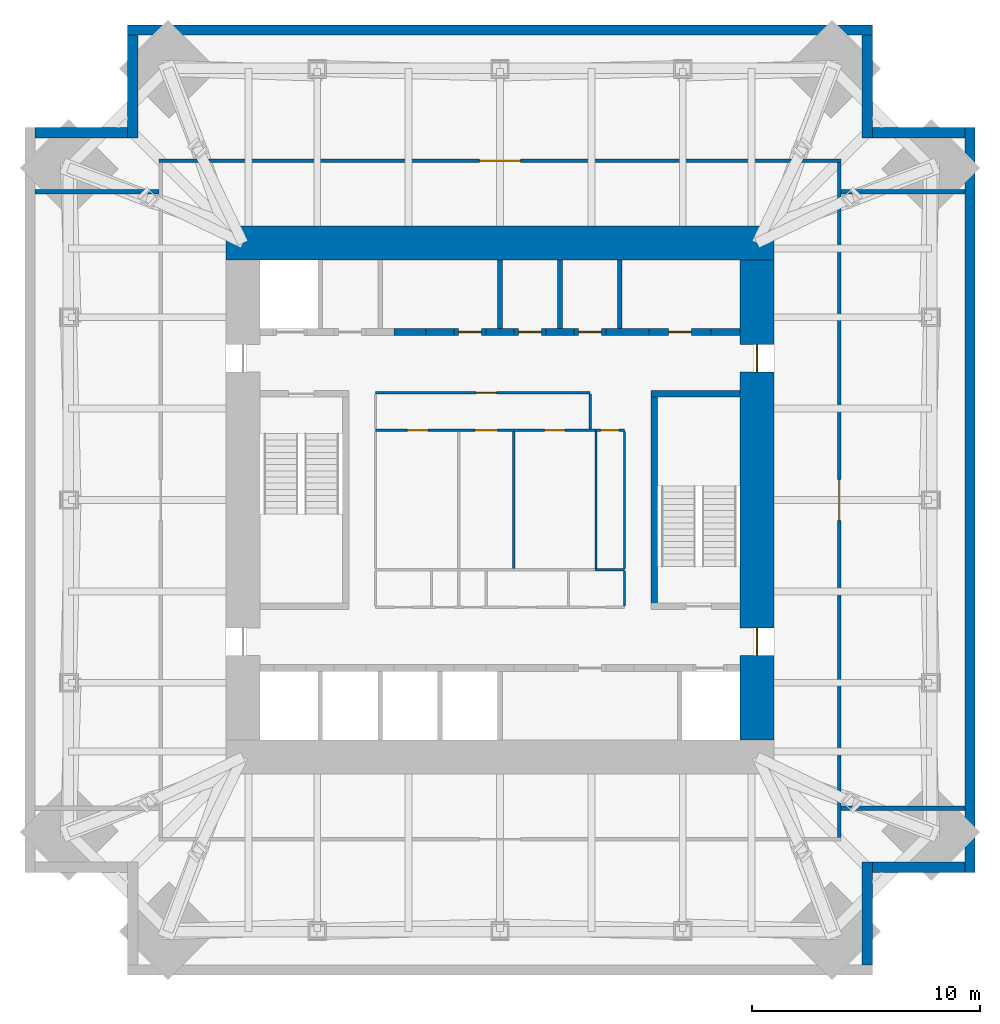
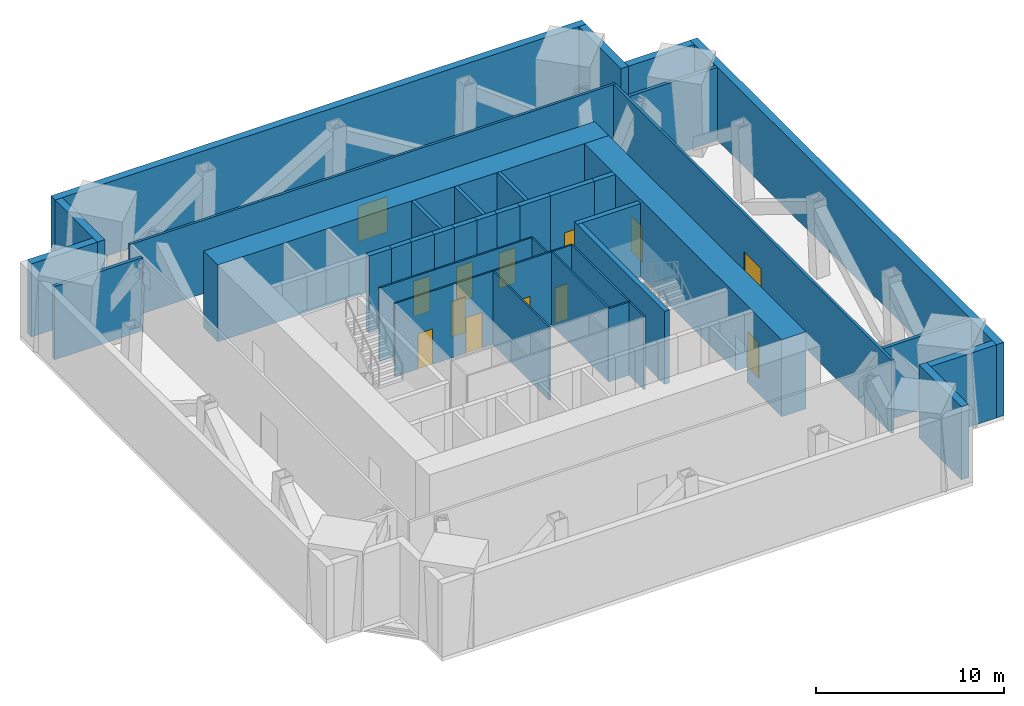
# One storey, part 4 of 6: 39 walls, 13 doors, 13 openings.
"""IFC4 building model written with IfcOpenShell, lengths in metres."""

from ifc_helpers import new_model, si_unit, direction, frame, frame_2d, origin, place, context, subcontext, project, spatial, rectangle, extrude, material, layer, layer_set, type_object, element, fill, save


model = new_model("IFC4")

# Units and contexts
model_context = context("Model", 3, precision=1e-05, world=origin(), true_north=direction((0.0, 1.0)))
body_context = subcontext(model_context, "Body", "Model", "MODEL_VIEW")
ifc_project = project(units=[si_unit("LENGTHUNIT", "METRE"), si_unit("AREAUNIT", "SQUARE_METRE"), si_unit("VOLUMEUNIT", "CUBIC_METRE"), si_unit("PLANEANGLEUNIT", "RADIAN"), si_unit("MASSUNIT", "GRAM", prefix="KILO")], contexts=[model_context])

# Site, building, storey
site_placement = place(None, origin())
site = spatial("IfcSite", under=ifc_project, at=site_placement, CompositionType="ELEMENT")
building_placement = place(site_placement, origin())
building = spatial("IfcBuilding", under=site, at=building_placement, Name="Peilmerk Tower", CompositionType="ELEMENT")
storey_placement = place(building_placement, frame((0.0, 0.0, 297.800048828125)))
storey = spatial("IfcBuildingStorey", under=building, at=storey_placement, Name="L67", CompositionType="ELEMENT", Elevation=297.800048828125)

# Walls
ifc_material_1 = material(Name="Precast concrete C45/55, board-marked finish", Category="concrete")
ifc_layer_1 = layer(ifc_material_1, 0.449951171875)
ifc_layer_set_1 = layer_set([ifc_layer_1], Name="Precast concrete C45/55, board-marked finish")
wall_type_1 = type_object("IfcWallType", Name="EW1 450 precast concrete facade wall, board-marked", PredefinedType="SOLIDWALL", material=ifc_layer_set_1)
for number, where, z_axis, x_axis, name in (
    (1, (16.300048828125, 20.574951171875, 0.0), (0.0, 0.0, 1.0), (-1.0, 0.0, 0.0), "Facade wall N L67"),
    (2, (20.574951171875, -16.300048828125, 0.0), (0.0, 0.0, 1.0), (0.0, 1.0, 0.0), "Facade wall E L67"),
):
    element("IfcWall", number, at=place(storey_placement, frame(where, z_axis=z_axis, x_axis=x_axis)), inside=storey, type_object=wall_type_1, Name=name, PredefinedType="SOLIDWALL", context=body_context, shape_type="SweptSolid", body=[
        extrude(rectangle(XDim=32.60009765625, YDim=0.449951171875, at=frame_2d((16.300048828125, 0.0))), origin(), (0.0, 0.0, 1.0), 4.75),
    ])
wall_1_placement = place(storey_placement, frame((16.074951171875, 15.85009765625, 0.0), z_axis=(0.0, 0.0, 1.0), x_axis=(0.0, 1.0, 0.0)))
element("IfcWall", 3, at=wall_1_placement, inside=storey, type_object=wall_type_1, Name="Facade wall NEA L67", PredefinedType="SOLIDWALL", context=body_context, shape_type="SweptSolid", body=[
    extrude(rectangle(XDim=4.5, YDim=0.449951171875, at=frame_2d((2.25, 0.0))), origin(), (0.0, 0.0, 1.0), 4.75),
])
wall_2_placement = place(storey_placement, frame((16.300048828125, 16.074951171875, 0.0), z_axis=(0.0, 0.0, 1.0), x_axis=(1.0, 0.0, 0.0)))
element("IfcWall", 4, at=wall_2_placement, inside=storey, type_object=wall_type_1, Name="Facade wall NEB L67", PredefinedType="SOLIDWALL", context=body_context, shape_type="SweptSolid", body=[
    extrude(rectangle(XDim=4.050048828125, YDim=0.449951171875, at=frame_2d((2.02490234375, 0.0))), origin(), (0.0, 0.0, 1.0), 4.75),
])
wall_3_placement = place(storey_placement, frame((16.074951171875, -15.85009765625, 0.0), z_axis=(0.0, 0.0, 1.0), x_axis=(0.0, -1.0, 0.0)))
element("IfcWall", 5, at=wall_3_placement, inside=storey, type_object=wall_type_1, Name="Facade wall SEA L67", PredefinedType="SOLIDWALL", context=body_context, shape_type="SweptSolid", body=[
    extrude(rectangle(XDim=4.5, YDim=0.449951171875, at=frame_2d((2.25, 0.0))), origin(), (0.0, 0.0, 1.0), 4.75),
])
wall_4_placement = place(storey_placement, frame((16.300048828125, -16.074951171875, 0.0), z_axis=(0.0, 0.0, 1.0), x_axis=(1.0, 0.0, 0.0)))
element("IfcWall", 6, at=wall_4_placement, inside=storey, type_object=wall_type_1, Name="Facade wall SEB L67", PredefinedType="SOLIDWALL", context=body_context, shape_type="SweptSolid", body=[
    extrude(rectangle(XDim=4.050048828125, YDim=0.449951171875, at=frame_2d((2.02490234375, 0.0))), origin(), (0.0, 0.0, 1.0), 4.75),
])
wall_5_placement = place(storey_placement, frame((-16.074951171875, 15.85009765625, 0.0), z_axis=(0.0, 0.0, 1.0), x_axis=(0.0, 1.0, 0.0)))
element("IfcWall", 7, at=wall_5_placement, inside=storey, type_object=wall_type_1, Name="Facade wall NWA L67", PredefinedType="SOLIDWALL", context=body_context, shape_type="SweptSolid", body=[
    extrude(rectangle(XDim=4.5, YDim=0.449951171875, at=frame_2d((2.25, 0.0))), origin(), (0.0, 0.0, 1.0), 4.75),
])
wall_6_placement = place(storey_placement, frame((-16.300048828125, 16.074951171875, 0.0), z_axis=(0.0, 0.0, 1.0), x_axis=(-1.0, 0.0, 0.0)))
element("IfcWall", 8, at=wall_6_placement, inside=storey, type_object=wall_type_1, Name="Facade wall NWB L67", PredefinedType="SOLIDWALL", context=body_context, shape_type="SweptSolid", body=[
    extrude(rectangle(XDim=4.050048828125, YDim=0.449951171875, at=frame_2d((2.02490234375, 0.0))), origin(), (0.0, 0.0, 1.0), 4.75),
])

# Wall, opening, door
ifc_material_2 = material(Name="Calcium silicate block", Category="masonry")
ifc_layer_2 = layer(ifc_material_2, 0.14990234375)
ifc_layer_set_2 = layer_set([ifc_layer_2], Name="Calcium silicate block")
wall_type_2 = type_object("IfcWallType", Name="IW1 150 corridor partition, EI 60", PredefinedType="PARTITIONING", material=ifc_layer_set_2)
wall_7_placement = place(storey_placement, frame((-14.925048828125, 14.85009765625, 0.0), z_axis=(0.0, 0.0, 1.0), x_axis=(1.0, 0.0, 0.0)))
wall_7 = element("IfcWall", 9, at=wall_7_placement, inside=storey, type_object=wall_type_2, Name="Corridor wall N L67", PredefinedType="PARTITIONING", context=body_context, shape_type="SweptSolid", body=[
    extrude(rectangle(XDim=29.85009765625, YDim=0.14990234375, at=frame_2d((14.925048828125, 0.0))), origin(), (0.0, 0.0, 1.0), 4.75),
])
opening_1_placement = place(wall_7_placement, frame((14.02490234375, 0.0, 0.0)))
opening_1 = element("IfcOpeningElement", 10, at=opening_1_placement, cuts=wall_7, Name="Opening D2", PredefinedType="OPENING", context=body_context, shape_type="SweptSolid", body=[
    extrude(rectangle(XDim=1.800048828125, YDim=2.300048828125, at=frame_2d((0.89990234375, 1.14990234375))), frame((0.0, 0.0849609375, 0.0), z_axis=(0.0, -1.0, 0.0), x_axis=(1.0, 0.0, 0.0)), (0.0, 0.0, 1.0), 0.169921875),
])
ifc_material_3 = material(Name="Steel door in steel frame", Category="steel")
door_type_1 = type_object("IfcDoorType", Name="D2 1800x2300 double door, EI2 60", OperationType="DOUBLE_DOOR_DOUBLE_SWING", PredefinedType="DOOR", material=ifc_material_3)
door_1_placement = place(opening_1_placement, origin())
door_1 = element("IfcDoor", 11, at=door_1_placement, inside=storey, type_object=door_type_1, Name="Door Plant room L67", OperationType="DOUBLE_DOOR_DOUBLE_SWING", OverallHeight=2.300048828125, OverallWidth=1.800048828125, PredefinedType="DOOR", context=body_context, shape_type="SweptSolid", body=[
    extrude(rectangle(XDim=1.800048828125, YDim=2.300048828125, at=frame_2d((0.89990234375, 1.14990234375))), frame((0.0, 0.02490234375, 0.0), z_axis=(0.0, -1.0, 0.0), x_axis=(1.0, 0.0, 0.0)), (0.0, 0.0, 1.0), 0.050048828125),
])
fill(opening_1, door_1)

wall_8_placement = place(storey_placement, frame((14.85009765625, -14.77490234375, 0.0), z_axis=(0.0, 0.0, 1.0), x_axis=(0.0, 1.0, 0.0)))
wall_8 = element("IfcWall", 12, at=wall_8_placement, inside=storey, type_object=wall_type_2, Name="Corridor wall E L67", PredefinedType="PARTITIONING", context=body_context, shape_type="SweptSolid", body=[
    extrude(rectangle(XDim=29.5498046875, YDim=0.14990234375, at=frame_2d((14.77490234375, 0.0))), origin(), (0.0, 0.0, 1.0), 4.75),
])
opening_2_placement = place(wall_8_placement, frame((13.875, 0.0, 0.0)))
opening_2 = element("IfcOpeningElement", 13, at=opening_2_placement, cuts=wall_8, Name="Opening D2", PredefinedType="OPENING", context=body_context, shape_type="SweptSolid", body=[
    extrude(rectangle(XDim=1.800048828125, YDim=2.300048828125, at=frame_2d((0.89990234375, 1.14990234375))), frame((0.0, 0.0849609375, 0.0), z_axis=(0.0, -1.0, 0.0), x_axis=(1.0, 0.0, 0.0)), (0.0, 0.0, 1.0), 0.169921875),
])
door_2_placement = place(opening_2_placement, frame((1.800048828125, 0.0, 0.0), z_axis=(0.0, 0.0, 1.0), x_axis=(-1.0, 0.0, 0.0)))
door_2 = element("IfcDoor", 14, at=door_2_placement, inside=storey, type_object=door_type_1, Name="Door Refuge area L67", OperationType="DOUBLE_DOOR_DOUBLE_SWING", OverallHeight=2.300048828125, OverallWidth=1.800048828125, PredefinedType="DOOR", context=body_context, shape_type="SweptSolid", body=[
    extrude(rectangle(XDim=1.800048828125, YDim=2.300048828125, at=frame_2d((0.89990234375, 1.14990234375))), frame((0.0, 0.02490234375, 0.0), z_axis=(0.0, -1.0, 0.0), x_axis=(1.0, 0.0, 0.0)), (0.0, 0.0, 1.0), 0.050048828125),
])
fill(opening_2, door_2)

# Walls
ifc_layer_3 = layer(ifc_material_2, 0.199951171875)
ifc_layer_set_3 = layer_set([ifc_layer_3], Name="Calcium silicate block")
wall_type_3 = type_object("IfcWallType", Name="IW2 200 room separating wall, EI 120", PredefinedType="PARTITIONING", material=ifc_layer_set_3)
for number, where, z_axis, x_axis, name in (
    (15, (14.925048828125, 13.5, 0.0), (0.0, 0.0, 1.0), (1.0, 0.0, 0.0), "Room separating wall NE L67"),
    (16, (-20.35009765625, 13.5, 0.0), (0.0, 0.0, 1.0), (1.0, 0.0, 0.0), "Room separating wall NW L67"),
    (17, (20.35009765625, -13.5, 0.0), (0.0, 0.0, 1.0), (-1.0, 0.0, 0.0), "Room separating wall SE L67"),
):
    element("IfcWall", number, at=place(storey_placement, frame(where, z_axis=z_axis, x_axis=x_axis)), inside=storey, type_object=wall_type_3, Name=name, PredefinedType="PARTITIONING", context=body_context, shape_type="SweptSolid", body=[
        extrude(rectangle(XDim=5.425048828125, YDim=0.199951171875, at=frame_2d((2.71240234375, 0.0))), origin(), (0.0, 0.0, 1.0), 4.75),
    ])
ifc_material_4 = material(Name="Concrete C35/45", Category="concrete")
ifc_layer_4 = layer(ifc_material_4, 0.300048828125)
ifc_layer_set_4 = layer_set([ifc_layer_4], Name="Concrete C35/45")
wall_type_4 = type_object("IfcWallType", Name="IW3 300 concrete stair enclosure wall, EI 120", PredefinedType="SOLIDWALL", material=ifc_layer_set_4)
wall_9_placement = place(storey_placement, frame((6.75, -4.800048828125, 0.0), z_axis=(0.0, 0.0, 1.0), x_axis=(0.0, 1.0, 0.0)))
element("IfcWall", 18, at=wall_9_placement, inside=storey, type_object=wall_type_4, Name="Stair 2 enclosure L67", PredefinedType="SOLIDWALL", context=body_context, shape_type="SweptSolid", body=[
    extrude(rectangle(XDim=9.60009765625, YDim=0.300048828125, at=frame_2d((4.800048828125, 0.0))), origin(), (0.0, 0.0, 1.0), 4.75),
])
wall_10_placement = place(storey_placement, frame((6.60009765625, 4.64990234375, 0.0), z_axis=(0.0, 0.0, 1.0), x_axis=(1.0, 0.0, 0.0)))
element("IfcWall", 19, at=wall_10_placement, inside=storey, type_object=wall_type_4, Name="Stair 2 enclosure L67", PredefinedType="SOLIDWALL", context=body_context, shape_type="SweptSolid", body=[
    extrude(rectangle(XDim=3.89990234375, YDim=0.300048828125, at=frame_2d((1.949951171875, 0.0))), origin(), (0.0, 0.0, 1.0), 4.75),
])

# Wall, openings, doors
ifc_material_5 = material(Name="Plasterboard on steel studs", Category="steel")
ifc_layer_5 = layer(ifc_material_5, 0.10009765625)
ifc_layer_set_5 = layer_set([ifc_layer_5], Name="Plasterboard on steel studs")
wall_type_5 = type_object("IfcWallType", Name="IW4 100 WC partition", PredefinedType="PARTITIONING", material=ifc_layer_set_5)
wall_11_placement = place(storey_placement, frame((-5.449951171875, 3.050048828125, 0.0), z_axis=(0.0, 0.0, 1.0), x_axis=(1.0, 0.0, 0.0)))
wall_11 = element("IfcWall", 20, at=wall_11_placement, inside=storey, type_object=wall_type_5, Name="WC wall L67", PredefinedType="PARTITIONING", context=body_context, shape_type="SweptSolid", body=[
    extrude(rectangle(XDim=9.599853515625, YDim=0.10009765625, at=frame_2d((4.7998046875, 0.0))), origin(), (0.0, 0.0, 1.0), 4.75),
])
opening_3_placement = place(wall_11_placement, frame((1.39990234375, 0.0, 0.0)))
opening_3 = element("IfcOpeningElement", 21, at=opening_3_placement, cuts=wall_11, Name="Opening D5", PredefinedType="OPENING", context=body_context, shape_type="SweptSolid", body=[
    extrude(rectangle(XDim=0.89990234375, YDim=2.300048828125, at=frame_2d((0.449951171875, 1.14990234375))), frame((0.0, 0.06005859375, 0.0), z_axis=(0.0, -1.0, 0.0), x_axis=(1.0, 0.0, 0.0)), (0.0, 0.0, 1.0), 0.1201171875),
])
opening_4_placement = place(wall_11_placement, frame((4.35009765625, 0.0, 0.0)))
opening_4 = element("IfcOpeningElement", 22, at=opening_4_placement, cuts=wall_11, Name="Opening D6", PredefinedType="OPENING", context=body_context, shape_type="SweptSolid", body=[
    extrude(rectangle(XDim=1.0, YDim=2.300048828125, at=frame_2d((0.5, 1.14990234375))), frame((0.0, 0.06005859375, 0.0), z_axis=(0.0, -1.0, 0.0), x_axis=(1.0, 0.0, 0.0)), (0.0, 0.0, 1.0), 0.1201171875),
])
opening_5_placement = place(wall_11_placement, frame((7.39990234375, 0.0, 0.0)))
opening_5 = element("IfcOpeningElement", 23, at=opening_5_placement, cuts=wall_11, Name="Opening D5", PredefinedType="OPENING", context=body_context, shape_type="SweptSolid", body=[
    extrude(rectangle(XDim=0.89990234375, YDim=2.300048828125, at=frame_2d((0.449951171875, 1.14990234375))), frame((0.0, 0.06005859375, 0.0), z_axis=(0.0, -1.0, 0.0), x_axis=(1.0, 0.0, 0.0)), (0.0, 0.0, 1.0), 0.1201171875),
])
ifc_material_6 = material(Name="Timber door in steel frame", Category="steel")
door_type_2 = type_object("IfcDoorType", Name="D5 900x2300 WC door", OperationType="SINGLE_SWING_LEFT", PredefinedType="DOOR", material=ifc_material_6)
door_3_placement = place(opening_3_placement, frame((0.89990234375, 0.0, 0.0), z_axis=(0.0, 0.0, 1.0), x_axis=(-1.0, 0.0, 0.0)))
door_3 = element("IfcDoor", 24, at=door_3_placement, inside=storey, type_object=door_type_2, Name="Female toilets door L67", OperationType="SINGLE_SWING_LEFT", OverallHeight=2.300048828125, OverallWidth=0.89990234375, PredefinedType="DOOR", context=body_context, shape_type="SweptSolid", body=[
    extrude(rectangle(XDim=0.89990234375, YDim=2.300048828125, at=frame_2d((0.449951171875, 1.14990234375))), frame((0.0, 0.02490234375, 0.0), z_axis=(0.0, -1.0, 0.0), x_axis=(1.0, 0.0, 0.0)), (0.0, 0.0, 1.0), 0.050048828125),
])
fill(opening_3, door_3)
door_4_placement = place(opening_5_placement, frame((0.89990234375, 0.0, 0.0), z_axis=(0.0, 0.0, 1.0), x_axis=(-1.0, 0.0, 0.0)))
door_4 = element("IfcDoor", 25, at=door_4_placement, inside=storey, type_object=door_type_2, Name="Male toilets door L67", OperationType="SINGLE_SWING_LEFT", OverallHeight=2.300048828125, OverallWidth=0.89990234375, PredefinedType="DOOR", context=body_context, shape_type="SweptSolid", body=[
    extrude(rectangle(XDim=0.89990234375, YDim=2.300048828125, at=frame_2d((0.449951171875, 1.14990234375))), frame((0.0, 0.02490234375, 0.0), z_axis=(0.0, -1.0, 0.0), x_axis=(1.0, 0.0, 0.0)), (0.0, 0.0, 1.0), 0.050048828125),
])
fill(opening_5, door_4)
door_type_3 = type_object("IfcDoorType", Name="D6 1000x2300 accessible WC door", OperationType="SLIDING_TO_LEFT", PredefinedType="DOOR", material=ifc_material_6)
door_5_placement = place(opening_4_placement, frame((1.0, 0.0, 0.0), z_axis=(0.0, 0.0, 1.0), x_axis=(-1.0, 0.0, 0.0)))
door_5 = element("IfcDoor", 26, at=door_5_placement, inside=storey, type_object=door_type_3, Name="Accessible WC door L67", OperationType="SLIDING_TO_LEFT", OverallHeight=2.300048828125, OverallWidth=1.0, PredefinedType="DOOR", context=body_context, shape_type="SweptSolid", body=[
    extrude(rectangle(XDim=1.0, YDim=2.300048828125, at=frame_2d((0.5, 1.14990234375))), frame((0.0, 0.02490234375, 0.0), z_axis=(0.0, -1.0, 0.0), x_axis=(1.0, 0.0, 0.0)), (0.0, 0.0, 1.0), 0.050048828125),
])
fill(opening_4, door_5)

# Wall
wall_12_placement = place(storey_placement, frame((0.60009765625, -3.0, 0.0), z_axis=(0.0, 0.0, 1.0), x_axis=(0.0, 1.0, 0.0)))
element("IfcWall", 27, at=wall_12_placement, inside=storey, type_object=wall_type_5, Name="WC wall L67", PredefinedType="PARTITIONING", context=body_context, shape_type="SweptSolid", body=[
    extrude(rectangle(XDim=6.0, YDim=0.10009765625, at=frame_2d((3.0, 0.0))), origin(), (0.0, 0.0, 1.0), 4.75),
])

# Wall, opening, door
ifc_material_7 = material(Name="Calcium silicate board on steel studs", Category="steel")
ifc_layer_6 = layer(ifc_material_7, 0.10009765625)
ifc_layer_set_6 = layer_set([ifc_layer_6], Name="Calcium silicate board on steel studs")
wall_type_6 = type_object("IfcWallType", Name="IW5 100 riser enclosure wall, EI 60", PredefinedType="PARTITIONING", material=ifc_layer_set_6)
wall_13_placement = place(storey_placement, frame((4.14990234375, 3.050048828125, 0.0), z_axis=(0.0, 0.0, 1.0), x_axis=(1.0, 0.0, 0.0)))
wall_13 = element("IfcWall", 28, at=wall_13_placement, inside=storey, type_object=wall_type_6, Name="Riser wall L67", PredefinedType="PARTITIONING", context=body_context, shape_type="SweptSolid", body=[
    extrude(rectangle(XDim=1.300048828125, YDim=0.10009765625, at=frame_2d((0.64990234375, 0.0))), origin(), (0.0, 0.0, 1.0), 4.75),
])
opening_6_placement = place(wall_13_placement, frame((0.25, 0.0, 0.0)))
opening_6 = element("IfcOpeningElement", 29, at=opening_6_placement, cuts=wall_13, Name="Opening D7", PredefinedType="OPENING", context=body_context, shape_type="SweptSolid", body=[
    extrude(rectangle(XDim=0.800048828125, YDim=2.300048828125, at=frame_2d((0.39990234375, 1.14990234375))), frame((0.0, 0.06005859375, 0.0), z_axis=(0.0, -1.0, 0.0), x_axis=(1.0, 0.0, 0.0)), (0.0, 0.0, 1.0), 0.1201171875),
])
door_type_4 = type_object("IfcDoorType", Name="D7 800x2300 riser access door, EI2 60", OperationType="SINGLE_SWING_RIGHT", PredefinedType="DOOR", material=ifc_material_3)
door_6_placement = place(opening_6_placement, frame((0.800048828125, 0.0, 0.0), z_axis=(0.0, 0.0, 1.0), x_axis=(-1.0, 0.0, 0.0)))
door_6 = element("IfcDoor", 30, at=door_6_placement, inside=storey, type_object=door_type_4, Name="Plumbing riser door L67", OperationType="SINGLE_SWING_RIGHT", OverallHeight=2.300048828125, OverallWidth=0.800048828125, PredefinedType="DOOR", context=body_context, shape_type="SweptSolid", body=[
    extrude(rectangle(XDim=0.800048828125, YDim=2.300048828125, at=frame_2d((0.39990234375, 1.14990234375))), frame((0.0, 0.02490234375, 0.0), z_axis=(0.0, -1.0, 0.0), x_axis=(1.0, 0.0, 0.0)), (0.0, 0.0, 1.0), 0.050048828125),
])
fill(opening_6, door_6)

# Walls
wall_14_placement = place(storey_placement, frame((5.449951171875, -3.050048828125, 0.0), z_axis=(0.0, 0.0, 1.0), x_axis=(-1.0, 0.0, 0.0)))
element("IfcWall", 31, at=wall_14_placement, inside=storey, type_object=wall_type_6, Name="Riser wall L67", PredefinedType="PARTITIONING", context=body_context, shape_type="SweptSolid", body=[
    extrude(rectangle(XDim=1.300048828125, YDim=0.10009765625, at=frame_2d((0.64990234375, 0.0))), origin(), (0.0, 0.0, 1.0), 4.75),
])
for number, where, z_axis, x_axis, name in (
    (32, (5.449951171875, 3.0, 0.0), (0.0, 0.0, 1.0), (0.0, -1.0, 0.0), "Riser wall L67"),
    (33, (4.199951171875, -3.0, 0.0), (0.0, 0.0, 1.0), (0.0, 1.0, 0.0), "Riser wall L67"),
):
    element("IfcWall", number, at=place(storey_placement, frame(where, z_axis=z_axis, x_axis=x_axis)), inside=storey, type_object=wall_type_6, Name=name, PredefinedType="PARTITIONING", context=body_context, shape_type="SweptSolid", body=[
        extrude(rectangle(XDim=6.0, YDim=0.10009765625, at=frame_2d((3.0, 0.0))), origin(), (0.0, 0.0, 1.0), 4.75),
    ])
wall_15_placement = place(storey_placement, frame((5.449951171875, -3.10009765625, 0.0), z_axis=(0.0, 0.0, 1.0), x_axis=(0.0, -1.0, 0.0)))
element("IfcWall", 34, at=wall_15_placement, inside=storey, type_object=wall_type_6, Name="Riser wall L67", PredefinedType="PARTITIONING", context=body_context, shape_type="SweptSolid", body=[
    extrude(rectangle(XDim=1.5498046875, YDim=0.10009765625, at=frame_2d((0.77490234375, 0.0))), origin(), (0.0, 0.0, 1.0), 4.75),
])

# Wall, opening, door
ifc_material_8 = material(Name="Fire-resisting plasterboard on steel studs", Category="steel")
ifc_layer_7 = layer(ifc_material_8, 0.10009765625)
ifc_layer_set_7 = layer_set([ifc_layer_7], Name="Fire-resisting plasterboard on steel studs")
wall_type_7 = type_object("IfcWallType", Name="IW9 100 WC lobby wall, EI 30", PredefinedType="PARTITIONING", material=ifc_layer_set_7)
wall_16_placement = place(storey_placement, frame((-5.449951171875, 4.699951171875, 0.0), z_axis=(0.0, 0.0, 1.0), x_axis=(1.0, 0.0, 0.0)))
wall_16 = element("IfcWall", 35, at=wall_16_placement, inside=storey, type_object=wall_type_7, Name="WC lobby wall L67", PredefinedType="PARTITIONING", context=body_context, shape_type="SweptSolid", body=[
    extrude(rectangle(XDim=9.39990234375, YDim=0.10009765625, at=frame_2d((4.699951171875, 0.0))), origin(), (0.0, 0.0, 1.0), 4.75),
])
opening_7_placement = place(wall_16_placement, frame((4.39990234375, 0.0, 0.0)))
opening_7 = element("IfcOpeningElement", 36, at=opening_7_placement, cuts=wall_16, Name="Opening D11", PredefinedType="OPENING", context=body_context, shape_type="SweptSolid", body=[
    extrude(rectangle(XDim=0.89990234375, YDim=2.300048828125, at=frame_2d((0.449951171875, 1.14990234375))), frame((0.0, 0.06005859375, 0.0), z_axis=(0.0, -1.0, 0.0), x_axis=(1.0, 0.0, 0.0)), (0.0, 0.0, 1.0), 0.1201171875),
])
door_type_5 = type_object("IfcDoorType", Name="D11 900x2300 WC lobby door, EI2 30", OperationType="SINGLE_SWING_LEFT", PredefinedType="DOOR", material=ifc_material_6)
door_7_placement = place(opening_7_placement, frame((0.89990234375, 0.0, 0.0), z_axis=(0.0, 0.0, 1.0), x_axis=(-1.0, 0.0, 0.0)))
door_7 = element("IfcDoor", 37, at=door_7_placement, inside=storey, type_object=door_type_5, Name="WC lobby door L67", OperationType="SINGLE_SWING_LEFT", OverallHeight=2.300048828125, OverallWidth=0.89990234375, PredefinedType="DOOR", context=body_context, shape_type="SweptSolid", body=[
    extrude(rectangle(XDim=0.89990234375, YDim=2.300048828125, at=frame_2d((0.449951171875, 1.14990234375))), frame((0.0, 0.02490234375, 0.0), z_axis=(0.0, -1.0, 0.0), x_axis=(1.0, 0.0, 0.0)), (0.0, 0.0, 1.0), 0.050048828125),
])
fill(opening_7, door_7)

# Walls
wall_17_placement = place(storey_placement, frame((3.949951171875, 3.10009765625, 0.0), z_axis=(0.0, 0.0, 1.0), x_axis=(0.0, 1.0, 0.0)))
element("IfcWall", 38, at=wall_17_placement, inside=storey, type_object=wall_type_7, Name="WC lobby wall L67", PredefinedType="PARTITIONING", context=body_context, shape_type="SweptSolid", body=[
    extrude(rectangle(XDim=1.5498046875, YDim=0.10009765625, at=frame_2d((0.77490234375, 0.0))), origin(), (0.0, 0.0, 1.0), 4.75),
])
ifc_layer_8 = layer(ifc_material_2, 0.199951171875)
ifc_layer_set_8 = layer_set([ifc_layer_8], Name="Calcium silicate block")
wall_type_8 = type_object("IfcWallType", Name="SH1 200 shaft dividing wall, EI 120", PredefinedType="PARTITIONING", material=ifc_layer_set_8)
for number, where, z_axis, x_axis, name in (
    (39, (0.0, 7.5, 0.0), (0.0, 0.0, 1.0), (0.0, 1.0, 0.0), "Shaft wall N A3 L67"),
    (40, (2.625, 7.5, 0.0), (0.0, 0.0, 1.0), (0.0, 1.0, 0.0), "Shaft wall N S1 L67"),
    (41, (5.25, 7.5, 0.0), (0.0, 0.0, 1.0), (0.0, 1.0, 0.0), "Shaft wall N S2 L67"),
):
    element("IfcWall", number, at=place(storey_placement, frame(where, z_axis=z_axis, x_axis=x_axis)), inside=storey, type_object=wall_type_8, Name=name, PredefinedType="PARTITIONING", context=body_context, shape_type="SweptSolid", body=[
        extrude(rectangle(XDim=3.0, YDim=0.199951171875, at=frame_2d((1.5, 0.0))), origin(), (0.0, 0.0, 1.0), 5.0),
    ])
ifc_layer_9 = layer(ifc_material_2, 0.300048828125)
ifc_layer_set_9 = layer_set([ifc_layer_9], Name="Calcium silicate block")
wall_type_9 = type_object("IfcWallType", Name="SH2 300 lift landing door panel, EI 120", PredefinedType="PARTITIONING", material=ifc_layer_set_9)
wall_18_placement = place(storey_placement, frame((-4.637451171875, 7.35009765625, 0.0), z_axis=(0.0, 0.0, 1.0), x_axis=(1.0, 0.0, 0.0)))
element("IfcWall", 42, at=wall_18_placement, inside=storey, type_object=wall_type_9, Name="Lift door panel N A2 L67", PredefinedType="PARTITIONING", context=body_context, shape_type="SweptSolid", body=[
    extrude(rectangle(XDim=1.39990234375, YDim=0.300048828125, at=frame_2d((0.699951171875, 0.0))), origin(), (0.0, 0.0, 1.0), 5.0),
])

# Wall, opening, door
wall_19_placement = place(storey_placement, frame((-2.012451171875, 7.35009765625, 0.0), z_axis=(0.0, 0.0, 1.0), x_axis=(1.0, 0.0, 0.0)))
wall_19 = element("IfcWall", 43, at=wall_19_placement, inside=storey, type_object=wall_type_9, Name="Lift door panel N A3 L67", PredefinedType="PARTITIONING", context=body_context, shape_type="SweptSolid", body=[
    extrude(rectangle(XDim=1.39990234375, YDim=0.300048828125, at=frame_2d((0.699951171875, 0.0))), origin(), (0.0, 0.0, 1.0), 5.0),
])
opening_8_placement = place(wall_19_placement, frame((0.199951171875, 0.0, 0.0)))
opening_8 = element("IfcOpeningElement", 44, at=opening_8_placement, cuts=wall_19, Name="Opening D10", PredefinedType="OPENING", context=body_context, shape_type="SweptSolid", body=[
    extrude(rectangle(XDim=1.0, YDim=2.300048828125, at=frame_2d((0.5, 1.14990234375))), frame((0.0, 0.159912109375, 0.0), z_axis=(0.0, -1.0, 0.0), x_axis=(1.0, 0.0, 0.0)), (0.0, 0.0, 1.0), 0.320068359375),
])
door_type_6 = type_object("IfcDoorType", Name="D10 1000x2300 core room door, EI2 60", OperationType="SINGLE_SWING_RIGHT", PredefinedType="DOOR", material=ifc_material_3)
door_8_placement = place(opening_8_placement, origin())
door_8 = element("IfcDoor", 45, at=door_8_placement, inside=storey, type_object=door_type_6, Name="Door Comms plant room L67", OperationType="SINGLE_SWING_RIGHT", OverallHeight=2.300048828125, OverallWidth=1.0, PredefinedType="DOOR", context=body_context, shape_type="SweptSolid", body=[
    extrude(rectangle(XDim=1.0, YDim=2.300048828125, at=frame_2d((0.5, 1.14990234375))), frame((0.0, 0.02490234375, 0.0), z_axis=(0.0, -1.0, 0.0), x_axis=(1.0, 0.0, 0.0)), (0.0, 0.0, 1.0), 0.050048828125),
])
fill(opening_8, door_8)

wall_20_placement = place(storey_placement, frame((0.612548828125, 7.35009765625, 0.0), z_axis=(0.0, 0.0, 1.0), x_axis=(1.0, 0.0, 0.0)))
wall_20 = element("IfcWall", 46, at=wall_20_placement, inside=storey, type_object=wall_type_9, Name="Lift door panel N S1 L67", PredefinedType="PARTITIONING", context=body_context, shape_type="SweptSolid", body=[
    extrude(rectangle(XDim=1.39990234375, YDim=0.300048828125, at=frame_2d((0.699951171875, 0.0))), origin(), (0.0, 0.0, 1.0), 5.0),
])
opening_9_placement = place(wall_20_placement, frame((0.199951171875, 0.0, 0.0)))
opening_9 = element("IfcOpeningElement", 47, at=opening_9_placement, cuts=wall_20, Name="Opening D10", PredefinedType="OPENING", context=body_context, shape_type="SweptSolid", body=[
    extrude(rectangle(XDim=1.0, YDim=2.300048828125, at=frame_2d((0.5, 1.14990234375))), frame((0.0, 0.159912109375, 0.0), z_axis=(0.0, -1.0, 0.0), x_axis=(1.0, 0.0, 0.0)), (0.0, 0.0, 1.0), 0.320068359375),
])
door_9_placement = place(opening_9_placement, origin())
door_9 = element("IfcDoor", 48, at=door_9_placement, inside=storey, type_object=door_type_6, Name="Door Sprinkler valve plant room L67", OperationType="SINGLE_SWING_RIGHT", OverallHeight=2.300048828125, OverallWidth=1.0, PredefinedType="DOOR", context=body_context, shape_type="SweptSolid", body=[
    extrude(rectangle(XDim=1.0, YDim=2.300048828125, at=frame_2d((0.5, 1.14990234375))), frame((0.0, 0.02490234375, 0.0), z_axis=(0.0, -1.0, 0.0), x_axis=(1.0, 0.0, 0.0)), (0.0, 0.0, 1.0), 0.050048828125),
])
fill(opening_9, door_9)

wall_21_placement = place(storey_placement, frame((3.237548828125, 7.35009765625, 0.0), z_axis=(0.0, 0.0, 1.0), x_axis=(1.0, 0.0, 0.0)))
wall_21 = element("IfcWall", 49, at=wall_21_placement, inside=storey, type_object=wall_type_9, Name="Lift door panel N S2 L67", PredefinedType="PARTITIONING", context=body_context, shape_type="SweptSolid", body=[
    extrude(rectangle(XDim=1.39990234375, YDim=0.300048828125, at=frame_2d((0.699951171875, 0.0))), origin(), (0.0, 0.0, 1.0), 5.0),
])
opening_10_placement = place(wall_21_placement, frame((0.199951171875, 0.0, 0.0)))
opening_10 = element("IfcOpeningElement", 50, at=opening_10_placement, cuts=wall_21, Name="Opening D10", PredefinedType="OPENING", context=body_context, shape_type="SweptSolid", body=[
    extrude(rectangle(XDim=1.0, YDim=2.300048828125, at=frame_2d((0.5, 1.14990234375))), frame((0.0, 0.159912109375, 0.0), z_axis=(0.0, -1.0, 0.0), x_axis=(1.0, 0.0, 0.0)), (0.0, 0.0, 1.0), 0.320068359375),
])
door_10_placement = place(opening_10_placement, origin())
door_10 = element("IfcDoor", 51, at=door_10_placement, inside=storey, type_object=door_type_6, Name="Door Electrical plant room L67", OperationType="SINGLE_SWING_RIGHT", OverallHeight=2.300048828125, OverallWidth=1.0, PredefinedType="DOOR", context=body_context, shape_type="SweptSolid", body=[
    extrude(rectangle(XDim=1.0, YDim=2.300048828125, at=frame_2d((0.5, 1.14990234375))), frame((0.0, 0.02490234375, 0.0), z_axis=(0.0, -1.0, 0.0), x_axis=(1.0, 0.0, 0.0)), (0.0, 0.0, 1.0), 0.050048828125),
])
fill(opening_10, door_10)

wall_22_placement = place(storey_placement, frame((6.52490234375, 7.35009765625, 0.0), z_axis=(0.0, 0.0, 1.0), x_axis=(1.0, 0.0, 0.0)))
wall_22 = element("IfcWall", 52, at=wall_22_placement, inside=storey, type_object=wall_type_9, Name="Lift door panel N GL1 L67", PredefinedType="PARTITIONING", context=body_context, shape_type="SweptSolid", body=[
    extrude(rectangle(XDim=2.7001953125, YDim=0.300048828125, at=frame_2d((1.35009765625, 0.0))), origin(), (0.0, 0.0, 1.0), 5.0),
])
opening_11_placement = place(wall_22_placement, frame((0.85009765625, 0.0, 0.0)))
opening_11 = element("IfcOpeningElement", 53, at=opening_11_placement, cuts=wall_22, Name="Opening D10", PredefinedType="OPENING", context=body_context, shape_type="SweptSolid", body=[
    extrude(rectangle(XDim=1.0, YDim=2.300048828125, at=frame_2d((0.5, 1.14990234375))), frame((0.0, 0.159912109375, 0.0), z_axis=(0.0, -1.0, 0.0), x_axis=(1.0, 0.0, 0.0)), (0.0, 0.0, 1.0), 0.320068359375),
])
door_11_placement = place(opening_11_placement, origin())
door_11 = element("IfcDoor", 54, at=door_11_placement, inside=storey, type_object=door_type_6, Name="Door Water plant room L67", OperationType="SINGLE_SWING_RIGHT", OverallHeight=2.300048828125, OverallWidth=1.0, PredefinedType="DOOR", context=body_context, shape_type="SweptSolid", body=[
    extrude(rectangle(XDim=1.0, YDim=2.300048828125, at=frame_2d((0.5, 1.14990234375))), frame((0.0, 0.02490234375, 0.0), z_axis=(0.0, -1.0, 0.0), x_axis=(1.0, 0.0, 0.0)), (0.0, 0.0, 1.0), 0.050048828125),
])
fill(opening_11, door_11)

# Wall
ifc_material_9 = material(Name="Concrete C55/67", Category="concrete")
ifc_layer_10 = layer(ifc_material_9, 1.5)
ifc_layer_set_10 = layer_set([ifc_layer_10], Name="Concrete C55/67")
wall_type_10 = type_object("IfcWallType", Name="SW1 1500 core wall", PredefinedType="SHEAR", material=ifc_layer_set_10)
wall_23_placement = place(storey_placement, frame((-12.0, 11.25, 0.0), z_axis=(0.0, 0.0, 1.0), x_axis=(1.0, 0.0, 0.0)))
element("IfcWall", 55, at=wall_23_placement, inside=storey, type_object=wall_type_10, Name="Core wall N L67", PredefinedType="SHEAR", context=body_context, shape_type="SweptSolid", body=[
    extrude(rectangle(XDim=24.0, YDim=1.5, at=frame_2d((12.0, 0.0))), origin(), (0.0, 0.0, 1.0), 5.0),
])

# Wall, openings, doors
wall_24_placement = place(storey_placement, frame((11.25, 10.5, 0.0), z_axis=(0.0, 0.0, 1.0), x_axis=(0.0, -1.0, 0.0)))
wall_24 = element("IfcWall", 56, at=wall_24_placement, inside=storey, type_object=wall_type_10, Name="Core wall E L67", PredefinedType="SHEAR", context=body_context, shape_type="SweptSolid", body=[
    extrude(rectangle(XDim=21.0, YDim=1.5, at=frame_2d((10.5, 0.0))), origin(), (0.0, 0.0, 1.0), 5.0),
])
opening_12_placement = place(wall_24_placement, frame((3.699951171875, 0.0, 0.0)))
opening_12 = element("IfcOpeningElement", 57, at=opening_12_placement, cuts=wall_24, Name="Opening D3", PredefinedType="OPENING", context=body_context, shape_type="SweptSolid", body=[
    extrude(rectangle(XDim=1.199951171875, YDim=2.300048828125, at=frame_2d((0.60009765625, 1.14990234375))), frame((0.0, 0.760009765625, 0.0), z_axis=(0.0, -1.0, 0.0), x_axis=(1.0, 0.0, 0.0)), (0.0, 0.0, 1.0), 1.52001953125),
])
opening_13_placement = place(wall_24_placement, frame((16.10009765625, 0.0, 0.0)))
opening_13 = element("IfcOpeningElement", 58, at=opening_13_placement, cuts=wall_24, Name="Opening D3", PredefinedType="OPENING", context=body_context, shape_type="SweptSolid", body=[
    extrude(rectangle(XDim=1.199951171875, YDim=2.300048828125, at=frame_2d((0.60009765625, 1.14990234375))), frame((0.0, 0.760009765625, 0.0), z_axis=(0.0, -1.0, 0.0), x_axis=(1.0, 0.0, 0.0)), (0.0, 0.0, 1.0), 1.52001953125),
])
door_type_7 = type_object("IfcDoorType", Name="D3 1200x2300 core door, EI2 60", OperationType="SINGLE_SWING_LEFT", PredefinedType="DOOR", material=ifc_material_3)
door_12_placement = place(opening_12_placement, frame((1.199951171875, 0.0, 0.0), z_axis=(0.0, 0.0, 1.0), x_axis=(-1.0, 0.0, 0.0)))
door_12 = element("IfcDoor", 59, at=door_12_placement, inside=storey, type_object=door_type_7, Name="Core door L67", OperationType="SINGLE_SWING_LEFT", OverallHeight=2.300048828125, OverallWidth=1.199951171875, PredefinedType="DOOR", context=body_context, shape_type="SweptSolid", body=[
    extrude(rectangle(XDim=1.199951171875, YDim=2.300048828125, at=frame_2d((0.60009765625, 1.14990234375))), frame((0.0, 0.02490234375, 0.0), z_axis=(0.0, -1.0, 0.0), x_axis=(1.0, 0.0, 0.0)), (0.0, 0.0, 1.0), 0.050048828125),
])
fill(opening_12, door_12)
door_13_placement = place(opening_13_placement, frame((1.199951171875, 0.0, 0.0), z_axis=(0.0, 0.0, 1.0), x_axis=(-1.0, 0.0, 0.0)))
door_13 = element("IfcDoor", 60, at=door_13_placement, inside=storey, type_object=door_type_7, Name="Core door L67", OperationType="SINGLE_SWING_LEFT", OverallHeight=2.300048828125, OverallWidth=1.199951171875, PredefinedType="DOOR", context=body_context, shape_type="SweptSolid", body=[
    extrude(rectangle(XDim=1.199951171875, YDim=2.300048828125, at=frame_2d((0.60009765625, 1.14990234375))), frame((0.0, 0.02490234375, 0.0), z_axis=(0.0, -1.0, 0.0), x_axis=(1.0, 0.0, 0.0)), (0.0, 0.0, 1.0), 0.050048828125),
])
fill(opening_13, door_13)

# Walls
ifc_layer_11 = layer(ifc_material_9, 0.300048828125)
ifc_layer_set_11 = layer_set([ifc_layer_11], Name="Concrete C55/67")
wall_type_11 = type_object("IfcWallType", Name="SW2 300 lift bank pier", PredefinedType="SHEAR", material=ifc_layer_set_11)
for number, where, z_axis, x_axis, name in (
    (61, (-3.237548828125, 7.35009765625, 0.0), (0.0, 0.0, 1.0), (1.0, 0.0, 0.0), "Lift bank pier N L67"),
    (62, (-0.612548828125, 7.35009765625, 0.0), (0.0, 0.0, 1.0), (1.0, 0.0, 0.0), "Lift bank pier N L67"),
    (63, (2.012451171875, 7.35009765625, 0.0), (0.0, 0.0, 1.0), (1.0, 0.0, 0.0), "Lift bank pier N L67"),
):
    element("IfcWall", number, at=place(storey_placement, frame(where, z_axis=z_axis, x_axis=x_axis)), inside=storey, type_object=wall_type_11, Name=name, PredefinedType="SHEAR", context=body_context, shape_type="SweptSolid", body=[
        extrude(rectangle(XDim=1.22509765625, YDim=0.300048828125, at=frame_2d((0.612548828125, 0.0))), origin(), (0.0, 0.0, 1.0), 5.0),
    ])
wall_25_placement = place(storey_placement, frame((4.637451171875, 7.35009765625, 0.0), z_axis=(0.0, 0.0, 1.0), x_axis=(1.0, 0.0, 0.0)))
element("IfcWall", 64, at=wall_25_placement, inside=storey, type_object=wall_type_11, Name="Lift bank pier N L67", PredefinedType="SHEAR", context=body_context, shape_type="SweptSolid", body=[
    extrude(rectangle(XDim=1.887451171875, YDim=0.300048828125, at=frame_2d((0.94384765625, 0.0))), origin(), (0.0, 0.0, 1.0), 5.0),
])
wall_26_placement = place(storey_placement, frame((9.22509765625, 7.35009765625, 0.0), z_axis=(0.0, 0.0, 1.0), x_axis=(1.0, 0.0, 0.0)))
element("IfcWall", 65, at=wall_26_placement, inside=storey, type_object=wall_type_11, Name="Lift bank pier N L67", PredefinedType="SHEAR", context=body_context, shape_type="SweptSolid", body=[
    extrude(rectangle(XDim=1.27490234375, YDim=0.300048828125, at=frame_2d((0.637451171875, 0.0))), origin(), (0.0, 0.0, 1.0), 5.0),
])

save(model, "model.ifc")
